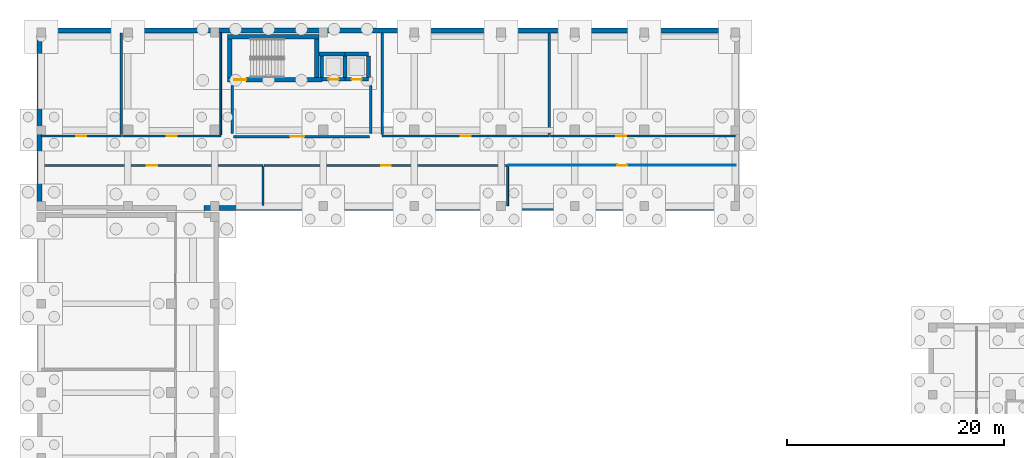
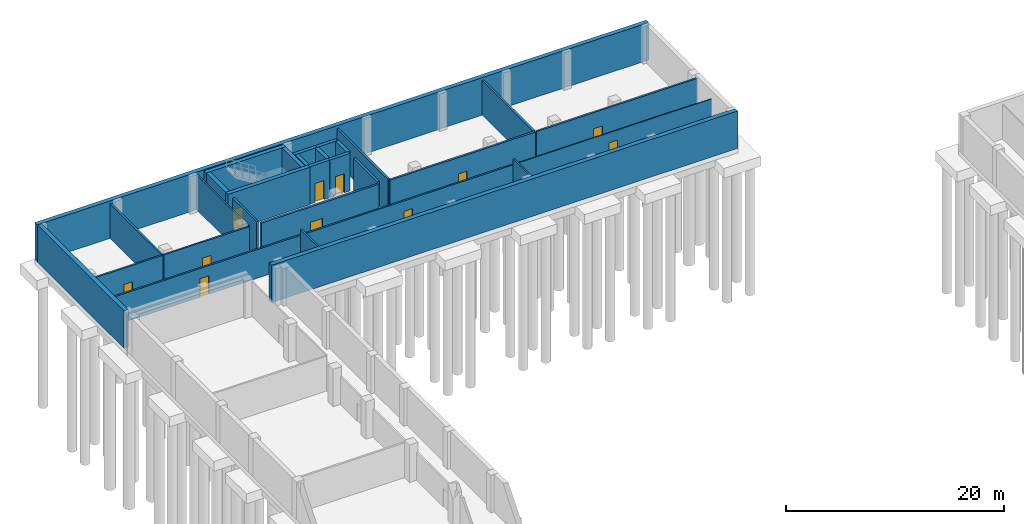
# One storey, part 21 of 31: 30 walls, 11 doors, 11 openings.
"""IFC4 building model written with IfcOpenShell, lengths in metres."""

from ifc_helpers import new_model, si_unit, direction, frame, frame_2d, origin, place, context, subcontext, project, spatial, rectangle, extrude, material, layer, layer_set, type_object, element, fill, save


model = new_model("IFC4")

# Units and contexts
model_context = context("Model", 3, precision=1e-05, world=origin(), true_north=direction((0.0, 1.0)))
body_context = subcontext(model_context, "Body", "Model", "MODEL_VIEW")
ifc_project = project(units=[si_unit("LENGTHUNIT", "METRE"), si_unit("AREAUNIT", "SQUARE_METRE"), si_unit("VOLUMEUNIT", "CUBIC_METRE"), si_unit("PLANEANGLEUNIT", "RADIAN"), si_unit("MASSUNIT", "GRAM", prefix="KILO")], contexts=[model_context])

# Site, building, storey
site_placement = place(None, origin())
site = spatial("IfcSite", under=ifc_project, at=site_placement, CompositionType="ELEMENT")
building_placement = place(site_placement, origin())
building = spatial("IfcBuilding", under=site, at=building_placement, Name="Qalavern Law Courts", CompositionType="ELEMENT")
storey_placement = place(building_placement, frame((0.0, 0.0, -8.39990234375)))
storey = spatial("IfcBuildingStorey", under=building, at=storey_placement, Name="B2", CompositionType="ELEMENT", Elevation=-8.39990234375)

# Walls
ifc_material_1 = material(Name="Concrete C35/45", Category="concrete")
ifc_layer_1 = layer(ifc_material_1, 0.4599609375)
ifc_layer_set_1 = layer_set([ifc_layer_1], Name="Concrete C35/45")
wall_type_1 = type_object("IfcWallType", Name="ENV-EW-RET460", PredefinedType="SOLIDWALL", material=ifc_layer_set_1)
wall_1_placement = place(storey_placement, frame((17.39990234375, 96.429931640625, 0.0), z_axis=(0.0, 0.0, 1.0), x_axis=(1.0, 0.0, 0.0)))
element("IfcWall", 1, at=wall_1_placement, inside=storey, type_object=wall_type_1, Name="V5 basement retaining wall B2 south", PredefinedType="SOLIDWALL", context=body_context, shape_type="SweptSolid", body=[
    extrude(rectangle(XDim=49.400146484375, YDim=0.4599609375, at=frame_2d((24.7001953125, 0.0))), origin(), (0.0, 0.0, 1.0), 4.199951171875),
])
wall_2_placement = place(storey_placement, frame((66.800048828125, 112.77001953125, 0.0), z_axis=(0.0, 0.0, 1.0), x_axis=(-1.0, 0.0, 0.0)))
element("IfcWall", 2, at=wall_2_placement, inside=storey, type_object=wall_type_1, Name="V5 basement retaining wall B2 north", PredefinedType="SOLIDWALL", context=body_context, shape_type="SweptSolid", body=[
    extrude(rectangle(XDim=64.800048828125, YDim=0.4599609375, at=frame_2d((32.39990234375, 0.0))), origin(), (0.0, 0.0, 1.0), 4.199951171875),
])
wall_3_placement = place(storey_placement, frame((2.22998046875, 112.544921875, 0.0), z_axis=(0.0, 0.0, 1.0), x_axis=(0.0, -1.0, 0.0)))
element("IfcWall", 3, at=wall_3_placement, inside=storey, type_object=wall_type_1, Name="V5 basement retaining wall B2 west", PredefinedType="SOLIDWALL", context=body_context, shape_type="SweptSolid", body=[
    extrude(rectangle(XDim=15.889892578125, YDim=0.4599609375, at=frame_2d((7.94482421875, 0.0))), origin(), (0.0, 0.0, 1.0), 4.199951171875),
])

# Wall, opening, door
ifc_material_2 = material(Name="Concrete C45/55", Category="concrete")
ifc_layer_2 = layer(ifc_material_2, 0.4150390625)
ifc_layer_set_2 = layer_set([ifc_layer_2], Name="Concrete C45/55")
wall_type_2 = type_object("IfcWallType", Name="INT-CW-415", PredefinedType="SHEAR", material=ifc_layer_set_2)
wall_4_placement = place(storey_placement, frame((19.5849609375, 108.242431640625, 0.0), z_axis=(0.0, 0.0, 1.0), x_axis=(1.0, 0.0, 0.0)))
wall_4 = element("IfcWall", 4, at=wall_4_placement, inside=storey, type_object=wall_type_2, Name="Core K3 stair shear wall B2 south", PredefinedType="SHEAR", context=body_context, shape_type="SweptSolid", body=[
    extrude(rectangle(XDim=8.689453125, YDim=0.4150390625, at=frame_2d((4.3447265625, 0.0))), origin(), (0.0, 0.0, 1.0), 4.199951171875),
])
opening_1_placement = place(wall_4_placement, frame((0.614990234375, 0.0, 0.0)))
opening_1 = element("IfcOpeningElement", 5, at=opening_1_placement, cuts=wall_4, Name="Opening B2-D069", PredefinedType="OPENING", context=body_context, shape_type="SweptSolid", body=[
    extrude(rectangle(XDim=1.10009765625, YDim=2.14990234375, at=frame_2d((0.550048828125, 1.074951171875))), frame((0.0, 0.222412109375, 0.0), z_axis=(0.0, -1.0, 0.0), x_axis=(1.0, 0.0, 0.0)), (0.0, 0.0, 1.0), 0.44482421875),
])
ifc_material_3 = material(Name="Steel fire-rated stair enclosure door", Category="steel")
door_type_1 = type_object("IfcDoorType", Name="INT-FD-1100x2150", OperationType="NOTDEFINED", PredefinedType="DOOR", material=ifc_material_3)
door_1_placement = place(opening_1_placement, frame((1.10009765625, 0.0, 0.0), z_axis=(0.0, 0.0, 1.0), x_axis=(-1.0, 0.0, 0.0)))
door_1 = element("IfcDoor", 6, at=door_1_placement, inside=storey, type_object=door_type_1, Name="Stair K3 fire door B2", OperationType="SINGLE_SWING_LEFT", OverallHeight=2.14990234375, OverallWidth=1.10009765625, PredefinedType="DOOR", context=body_context, shape_type="SweptSolid", body=[
    extrude(rectangle(XDim=1.10009765625, YDim=2.14990234375, at=frame_2d((0.550048828125, 1.074951171875))), frame((0.0, 0.02490234375, 0.0), z_axis=(0.0, -1.0, 0.0), x_axis=(1.0, 0.0, 0.0)), (0.0, 0.0, 1.0), 0.050048828125),
])
fill(opening_1, door_1)

# Walls
wall_5_placement = place(storey_placement, frame((27.8076171875, 108.449951171875, 0.0), z_axis=(0.0, 0.0, 1.0), x_axis=(0.0, 1.0, 0.0)))
element("IfcWall", 7, at=wall_5_placement, inside=storey, type_object=wall_type_2, Name="Core K3 stair shear wall B2 east", PredefinedType="SHEAR", context=body_context, shape_type="SweptSolid", body=[
    extrude(rectangle(XDim=3.550048828125, YDim=0.4150390625, at=frame_2d((1.77490234375, 0.0))), origin(), (0.0, 0.0, 1.0), 4.199951171875),
])
wall_6_placement = place(storey_placement, frame((28.014892578125, 112.20751953125, 0.0), z_axis=(0.0, 0.0, 1.0), x_axis=(-1.0, 0.0, 0.0)))
element("IfcWall", 8, at=wall_6_placement, inside=storey, type_object=wall_type_2, Name="Core K3 stair shear wall B2 north", PredefinedType="SHEAR", context=body_context, shape_type="SweptSolid", body=[
    extrude(rectangle(XDim=8.429931640625, YDim=0.4150390625, at=frame_2d((4.21484375, 0.0))), origin(), (0.0, 0.0, 1.0), 4.199951171875),
])
wall_7_placement = place(storey_placement, frame((19.79248046875, 112.0, 0.0), z_axis=(0.0, 0.0, 1.0), x_axis=(0.0, -1.0, 0.0)))
element("IfcWall", 9, at=wall_7_placement, inside=storey, type_object=wall_type_2, Name="Core K3 stair shear wall B2 west", PredefinedType="SHEAR", context=body_context, shape_type="SweptSolid", body=[
    extrude(rectangle(XDim=3.550048828125, YDim=0.4150390625, at=frame_2d((1.77490234375, 0.0))), origin(), (0.0, 0.0, 1.0), 4.199951171875),
])

# Wall, opening, door
ifc_material_4 = material(Name="Concrete C40/50", Category="concrete")
ifc_layer_3 = layer(ifc_material_4, 0.22509765625)
ifc_layer_set_3 = layer_set([ifc_layer_3], Name="Concrete C40/50")
wall_type_3 = type_object("IfcWallType", Name="INT-FW-225", PredefinedType="PARTITIONING", material=ifc_layer_set_3)
wall_8_placement = place(storey_placement, frame((20.14990234375, 103.0, 0.0), z_axis=(0.0, 0.0, 1.0), x_axis=(1.0, 0.0, 0.0)))
wall_8 = element("IfcWall", 10, at=wall_8_placement, inside=storey, type_object=wall_type_3, Name="Core K3 firefighting/stair lobby fire wall B2", PredefinedType="PARTITIONING", context=body_context, shape_type="SweptSolid", body=[
    extrude(rectangle(XDim=12.5, YDim=0.22509765625, at=frame_2d((6.25, 0.0))), origin(), (0.0, 0.0, 1.0), 3.8798828125),
])
opening_2_placement = place(wall_8_placement, frame((5.199951171875, 0.0, 0.0)))
opening_2 = element("IfcOpeningElement", 11, at=opening_2_placement, cuts=wall_8, Name="Opening B2-D070", PredefinedType="OPENING", context=body_context, shape_type="SweptSolid", body=[
    extrude(rectangle(XDim=1.300048828125, YDim=2.14990234375, at=frame_2d((0.64990234375, 1.074951171875))), frame((0.0, 0.12744140625, 0.0), z_axis=(0.0, -1.0, 0.0), x_axis=(1.0, 0.0, 0.0)), (0.0, 0.0, 1.0), 0.2548828125),
])
ifc_material_5 = material(Name="Steel fire-rated frame and acoustic timber leaves", Category="steel")
door_type_2 = type_object("IfcDoorType", Name="INT-FD-1300x2150", OperationType="DOUBLE_DOOR_SINGLE_SWING", PredefinedType="DOOR", material=ifc_material_5)
door_2_placement = place(opening_2_placement, origin())
door_2 = element("IfcDoor", 12, at=door_2_placement, inside=storey, type_object=door_type_2, Name="Core K3 lobby fire door B2", OperationType="DOUBLE_DOOR_SINGLE_SWING", OverallHeight=2.14990234375, OverallWidth=1.300048828125, PredefinedType="DOOR", context=body_context, shape_type="SweptSolid", body=[
    extrude(rectangle(XDim=1.300048828125, YDim=2.14990234375, at=frame_2d((0.64990234375, 1.074951171875))), frame((0.0, 0.02490234375, 0.0), z_axis=(0.0, -1.0, 0.0), x_axis=(1.0, 0.0, 0.0)), (0.0, 0.0, 1.0), 0.050048828125),
])
fill(opening_2, door_2)

# Walls
for number, where, z_axis, x_axis, name in (
    (13, (20.0, 103.300048828125, 0.0), (0.0, 0.0, 1.0), (0.0, 1.0, 0.0), "Core K3 lobby return wall B2 west"),
    (14, (32.800048828125, 103.300048828125, 0.0), (0.0, 0.0, 1.0), (0.0, 1.0, 0.0), "Core K3 lobby return wall B2 east"),
):
    element("IfcWall", number, at=place(storey_placement, frame(where, z_axis=z_axis, x_axis=x_axis)), inside=storey, type_object=wall_type_3, Name=name, PredefinedType="PARTITIONING", context=body_context, shape_type="SweptSolid", body=[
        extrude(rectangle(XDim=4.39990234375, YDim=0.22509765625, at=frame_2d((2.199951171875, 0.0))), origin(), (0.0, 0.0, 1.0), 3.8798828125),
    ])

# Wall, opening, door
ifc_material_6 = material(Name="Gypsum shaft/chase partition")
ifc_layer_4 = layer(ifc_material_6, 0.092041015625)
ifc_layer_set_4 = layer_set([ifc_layer_4], Name="Gypsum shaft/chase partition")
wall_type_4 = type_object("IfcWallType", Name="INT-PW-092", PredefinedType="PARTITIONING", material=ifc_layer_set_4)
wall_9_placement = place(storey_placement, frame((45.52587890625, 100.340087890625, 0.0), z_axis=(0.0, 0.0, 1.0), x_axis=(1.0, 0.0, 0.0)))
wall_9 = element("IfcWall", 15, at=wall_9_placement, inside=storey, type_object=wall_type_4, Name="Historical Legal Archive Stacks corridor partition B2", PredefinedType="PARTITIONING", context=body_context, shape_type="SweptSolid", body=[
    extrude(rectangle(XDim=20.89404296875, YDim=0.092041015625, at=frame_2d((10.447021484375, 0.0))), origin(), (0.0, 0.0, 1.0), 3.2099609375),
])
opening_3_placement = place(wall_9_placement, frame((9.98193359375, 0.0, 0.0)))
opening_3 = element("IfcOpeningElement", 16, at=opening_3_placement, cuts=wall_9, Name="Opening B2-D336", PredefinedType="OPENING", context=body_context, shape_type="SweptSolid", body=[
    extrude(rectangle(XDim=0.929931640625, YDim=2.080078125, at=frame_2d((0.46484375, 1.0400390625))), frame((0.0, 0.06103515625, 0.0), z_axis=(0.0, -1.0, 0.0), x_axis=(1.0, 0.0, 0.0)), (0.0, 0.0, 1.0), 0.121826171875),
])
ifc_material_7 = material(Name="Steel Legal Archive Vault door", Category="steel")
door_type_3 = type_object("IfcDoorType", Name="INT-ID-930x2080", OperationType="NOTDEFINED", PredefinedType="DOOR", material=ifc_material_7)
door_3_placement = place(opening_3_placement, frame((0.929931640625, 0.0, 0.0), z_axis=(0.0, 0.0, 1.0), x_axis=(-1.0, 0.0, 0.0)))
door_3 = element("IfcDoor", 17, at=door_3_placement, inside=storey, type_object=door_type_3, Name="Historical Legal Archive Stacks door B2", OperationType="SINGLE_SWING_LEFT", OverallHeight=2.080078125, OverallWidth=0.929931640625, PredefinedType="DOOR", context=body_context, shape_type="SweptSolid", body=[
    extrude(rectangle(XDim=0.929931640625, YDim=2.080078125, at=frame_2d((0.46484375, 1.0400390625))), frame((0.0, 0.02490234375, 0.0), z_axis=(0.0, -1.0, 0.0), x_axis=(1.0, 0.0, 0.0)), (0.0, 0.0, 1.0), 0.050048828125),
])
fill(opening_3, door_3)

ifc_material_8 = material(Name="Gypsum acoustic stud partition")
ifc_layer_5 = layer(ifc_material_8, 0.174072265625)
ifc_layer_set_5 = layer_set([ifc_layer_5], Name="Gypsum acoustic stud partition")
wall_type_5 = type_object("IfcWallType", Name="INT-PW-174", PredefinedType="PARTITIONING", material=ifc_layer_set_5)
wall_10_placement = place(storey_placement, frame((22.98193359375, 100.340087890625, 0.0), z_axis=(0.0, 0.0, 1.0), x_axis=(1.0, 0.0, 0.0)))
wall_10 = element("IfcWall", 18, at=wall_10_placement, inside=storey, type_object=wall_type_5, Name="Sprinkler Pump and Cistern Plant corridor partition B2", PredefinedType="PARTITIONING", context=body_context, shape_type="SweptSolid", body=[
    extrude(rectangle(XDim=22.424072265625, YDim=0.174072265625, at=frame_2d((11.2119140625, 0.0))), origin(), (0.0, 0.0, 1.0), 3.2099609375),
])
opening_4_placement = place(wall_10_placement, frame((10.757080078125, 0.0, 0.0)))
opening_4 = element("IfcOpeningElement", 19, at=opening_4_placement, cuts=wall_10, Name="Opening B2-D335", PredefinedType="OPENING", context=body_context, shape_type="SweptSolid", body=[
    extrude(rectangle(XDim=0.909912109375, YDim=2.0400390625, at=frame_2d((0.455078125, 1.02001953125))), frame((0.0, 0.10205078125, 0.0), z_axis=(0.0, -1.0, 0.0), x_axis=(1.0, 0.0, 0.0)), (0.0, 0.0, 1.0), 0.203857421875),
])
ifc_material_9 = material(Name="Steel MEP Plant Room door", Category="steel")
door_type_4 = type_object("IfcDoorType", Name="INT-ID-910x2040", OperationType="NOTDEFINED", PredefinedType="DOOR", material=ifc_material_9)
door_4_placement = place(opening_4_placement, frame((0.909912109375, 0.0, 0.0), z_axis=(0.0, 0.0, 1.0), x_axis=(-1.0, 0.0, 0.0)))
door_4 = element("IfcDoor", 20, at=door_4_placement, inside=storey, type_object=door_type_4, Name="Sprinkler Pump and Cistern Plant door B2", OperationType="SINGLE_SWING_RIGHT", OverallHeight=2.0400390625, OverallWidth=0.909912109375, PredefinedType="DOOR", context=body_context, shape_type="SweptSolid", body=[
    extrude(rectangle(XDim=0.909912109375, YDim=2.0400390625, at=frame_2d((0.455078125, 1.02001953125))), frame((0.0, 0.02490234375, 0.0), z_axis=(0.0, -1.0, 0.0), x_axis=(1.0, 0.0, 0.0)), (0.0, 0.0, 1.0), 0.050048828125),
])
fill(opening_4, door_4)

# Wall
wall_11_placement = place(storey_placement, frame((45.406005859375, 96.639892578125, 0.0), z_axis=(0.0, 0.0, 1.0), x_axis=(0.0, 1.0, 0.0)))
element("IfcWall", 21, at=wall_11_placement, inside=storey, type_object=wall_type_5, Name="Sprinkler Pump and Cistern Plant cross partition B2 east", PredefinedType="PARTITIONING", context=body_context, shape_type="SweptSolid", body=[
    extrude(rectangle(XDim=3.593017578125, YDim=0.174072265625, at=frame_2d((1.79638671875, 0.0))), origin(), (0.0, 0.0, 1.0), 3.8798828125),
])

# Wall, opening, door
wall_12_placement = place(storey_placement, frame((9.905029296875, 103.06005859375, 0.0), z_axis=(0.0, 0.0, 1.0), x_axis=(1.0, 0.0, 0.0)))
wall_12 = element("IfcWall", 22, at=wall_12_placement, inside=storey, type_object=wall_type_5, Name="Historical Legal Archive Stacks corridor partition B2", PredefinedType="PARTITIONING", context=body_context, shape_type="SweptSolid", body=[
    extrude(rectangle(XDim=9.054931640625, YDim=0.174072265625, at=frame_2d((4.52734375, 0.0))), origin(), (0.0, 0.0, 1.0), 3.8798828125),
])
opening_5_placement = place(wall_12_placement, frame((4.0625, 0.0, 0.0)))
opening_5 = element("IfcOpeningElement", 23, at=opening_5_placement, cuts=wall_12, Name="Opening B2-D340", PredefinedType="OPENING", context=body_context, shape_type="SweptSolid", body=[
    extrude(rectangle(XDim=0.929931640625, YDim=2.080078125, at=frame_2d((0.46484375, 1.0400390625))), frame((0.0, 0.10205078125, 0.0), z_axis=(0.0, -1.0, 0.0), x_axis=(1.0, 0.0, 0.0)), (0.0, 0.0, 1.0), 0.203857421875),
])
door_5_placement = place(opening_5_placement, origin())
door_5 = element("IfcDoor", 24, at=door_5_placement, inside=storey, type_object=door_type_3, Name="Historical Legal Archive Stacks door B2", OperationType="SINGLE_SWING_LEFT", OverallHeight=2.080078125, OverallWidth=0.929931640625, PredefinedType="DOOR", context=body_context, shape_type="SweptSolid", body=[
    extrude(rectangle(XDim=0.929931640625, YDim=2.080078125, at=frame_2d((0.46484375, 1.0400390625))), frame((0.0, 0.02490234375, 0.0), z_axis=(0.0, -1.0, 0.0), x_axis=(1.0, 0.0, 0.0)), (0.0, 0.0, 1.0), 0.050048828125),
])
fill(opening_5, door_5)

# Wall
wall_13_placement = place(storey_placement, frame((18.9599609375, 103.1669921875, 0.0), z_axis=(0.0, 0.0, 1.0), x_axis=(0.0, 1.0, 0.0)))
element("IfcWall", 25, at=wall_13_placement, inside=storey, type_object=wall_type_5, Name="Historical Legal Archive Stacks cross partition B2 east", PredefinedType="PARTITIONING", context=body_context, shape_type="SweptSolid", body=[
    extrude(rectangle(XDim=9.39306640625, YDim=0.174072265625, at=frame_2d((4.696533203125, 0.0))), origin(), (0.0, 0.0, 1.0), 3.8798828125),
])

# Wall, opening, door
ifc_layer_6 = layer(ifc_material_8, 0.18603515625)
ifc_layer_set_6 = layer_set([ifc_layer_6], Name="Gypsum acoustic stud partition")
wall_type_6 = type_object("IfcWallType", Name="INT-PW-186", PredefinedType="PARTITIONING", material=ifc_layer_set_6)
wall_14_placement = place(storey_placement, frame((2.3798828125, 100.340087890625, 0.0), z_axis=(0.0, 0.0, 1.0), x_axis=(1.0, 0.0, 0.0)))
wall_14 = element("IfcWall", 26, at=wall_14_placement, inside=storey, type_object=wall_type_6, Name="Historical Legal Archive Stacks corridor partition B2", PredefinedType="PARTITIONING", context=body_context, shape_type="SweptSolid", body=[
    extrude(rectangle(XDim=20.482177734375, YDim=0.18603515625, at=frame_2d((10.2412109375, 0.0))), origin(), (0.0, 0.0, 1.0), 3.2099609375),
])
opening_6_placement = place(wall_14_placement, frame((9.77587890625, 0.0, 0.0)))
opening_6 = element("IfcOpeningElement", 27, at=opening_6_placement, cuts=wall_14, Name="Opening B2-D334", PredefinedType="OPENING", context=body_context, shape_type="SweptSolid", body=[
    extrude(rectangle(XDim=0.929931640625, YDim=2.080078125, at=frame_2d((0.46484375, 1.0400390625))), frame((0.0, 0.10791015625, 0.0), z_axis=(0.0, -1.0, 0.0), x_axis=(1.0, 0.0, 0.0)), (0.0, 0.0, 1.0), 0.2158203125),
])
door_6_placement = place(opening_6_placement, frame((0.929931640625, 0.0, 0.0), z_axis=(0.0, 0.0, 1.0), x_axis=(-1.0, 0.0, 0.0)))
door_6 = element("IfcDoor", 28, at=door_6_placement, inside=storey, type_object=door_type_3, Name="Historical Legal Archive Stacks door B2", OperationType="SINGLE_SWING_LEFT", OverallHeight=2.080078125, OverallWidth=0.929931640625, PredefinedType="DOOR", context=body_context, shape_type="SweptSolid", body=[
    extrude(rectangle(XDim=0.929931640625, YDim=2.080078125, at=frame_2d((0.46484375, 1.0400390625))), frame((0.0, 0.02490234375, 0.0), z_axis=(0.0, -1.0, 0.0), x_axis=(1.0, 0.0, 0.0)), (0.0, 0.0, 1.0), 0.050048828125),
])
fill(opening_6, door_6)

# Wall
wall_15_placement = place(storey_placement, frame((22.862060546875, 96.639892578125, 0.0), z_axis=(0.0, 0.0, 1.0), x_axis=(0.0, 1.0, 0.0)))
element("IfcWall", 29, at=wall_15_placement, inside=storey, type_object=wall_type_6, Name="Historical Legal Archive Stacks cross partition B2 east", PredefinedType="PARTITIONING", context=body_context, shape_type="SweptSolid", body=[
    extrude(rectangle(XDim=3.587158203125, YDim=0.18603515625, at=frame_2d((1.79345703125, 0.0))), origin(), (0.0, 0.0, 1.0), 3.8798828125),
])

# Wall, opening, door
wall_16_placement = place(storey_placement, frame((2.3798828125, 103.06005859375, 0.0), z_axis=(0.0, 0.0, 1.0), x_axis=(1.0, 0.0, 0.0)))
wall_16 = element("IfcWall", 30, at=wall_16_placement, inside=storey, type_object=wall_type_6, Name="Sprinkler Pump and Cistern Plant corridor partition B2", PredefinedType="PARTITIONING", context=body_context, shape_type="SweptSolid", body=[
    extrude(rectangle(XDim=7.405029296875, YDim=0.18603515625, at=frame_2d((3.70263671875, 0.0))), origin(), (0.0, 0.0, 1.0), 3.8798828125),
])
opening_7_placement = place(wall_16_placement, frame((3.24755859375, 0.0, 0.0)))
opening_7 = element("IfcOpeningElement", 31, at=opening_7_placement, cuts=wall_16, Name="Opening B2-D339", PredefinedType="OPENING", context=body_context, shape_type="SweptSolid", body=[
    extrude(rectangle(XDim=0.909912109375, YDim=2.0400390625, at=frame_2d((0.455078125, 1.02001953125))), frame((0.0, 0.10791015625, 0.0), z_axis=(0.0, -1.0, 0.0), x_axis=(1.0, 0.0, 0.0)), (0.0, 0.0, 1.0), 0.2158203125),
])
door_7_placement = place(opening_7_placement, origin())
door_7 = element("IfcDoor", 32, at=door_7_placement, inside=storey, type_object=door_type_4, Name="Sprinkler Pump and Cistern Plant door B2", OperationType="SINGLE_SWING_RIGHT", OverallHeight=2.0400390625, OverallWidth=0.909912109375, PredefinedType="DOOR", context=body_context, shape_type="SweptSolid", body=[
    extrude(rectangle(XDim=0.909912109375, YDim=2.0400390625, at=frame_2d((0.455078125, 1.02001953125))), frame((0.0, 0.02490234375, 0.0), z_axis=(0.0, -1.0, 0.0), x_axis=(1.0, 0.0, 0.0)), (0.0, 0.0, 1.0), 0.050048828125),
])
fill(opening_7, door_7)

# Wall
wall_17_placement = place(storey_placement, frame((9.784912109375, 103.173095703125, 0.0), z_axis=(0.0, 0.0, 1.0), x_axis=(0.0, 1.0, 0.0)))
element("IfcWall", 33, at=wall_17_placement, inside=storey, type_object=wall_type_6, Name="Sprinkler Pump and Cistern Plant cross partition B2 east", PredefinedType="PARTITIONING", context=body_context, shape_type="SweptSolid", body=[
    extrude(rectangle(XDim=9.386962890625, YDim=0.18603515625, at=frame_2d((4.693359375, 0.0))), origin(), (0.0, 0.0, 1.0), 3.8798828125),
])

# Wall, opening, door
ifc_material_10 = material(Name="Gypsum acoustic double-stud partition")
ifc_layer_7 = layer(ifc_material_10, 0.197998046875)
ifc_layer_set_7 = layer_set([ifc_layer_7], Name="Gypsum acoustic double-stud partition")
wall_type_7 = type_object("IfcWallType", Name="INT-PW-198", PredefinedType="PARTITIONING", material=ifc_layer_set_7)
wall_18_placement = place(storey_placement, frame((49.364990234375, 103.06005859375, 0.0), z_axis=(0.0, 0.0, 1.0), x_axis=(1.0, 0.0, 0.0)))
wall_18 = element("IfcWall", 34, at=wall_18_placement, inside=storey, type_object=wall_type_7, Name="Historical Legal Archive Stacks corridor partition B2", PredefinedType="PARTITIONING", context=body_context, shape_type="SweptSolid", body=[
    extrude(rectangle(XDim=17.054931640625, YDim=0.197998046875, at=frame_2d((8.52734375, 0.0))), origin(), (0.0, 0.0, 1.0), 3.8798828125),
])
opening_8_placement = place(wall_18_placement, frame((6.0625, 0.0, 0.0)))
opening_8 = element("IfcOpeningElement", 35, at=opening_8_placement, cuts=wall_18, Name="Opening B2-D338", PredefinedType="OPENING", context=body_context, shape_type="SweptSolid", body=[
    extrude(rectangle(XDim=0.929931640625, YDim=2.080078125, at=frame_2d((0.46484375, 1.0400390625))), frame((0.0, 0.11376953125, 0.0), z_axis=(0.0, -1.0, 0.0), x_axis=(1.0, 0.0, 0.0)), (0.0, 0.0, 1.0), 0.227783203125),
])
door_8_placement = place(opening_8_placement, origin())
door_8 = element("IfcDoor", 36, at=door_8_placement, inside=storey, type_object=door_type_3, Name="Historical Legal Archive Stacks door B2", OperationType="SINGLE_SWING_LEFT", OverallHeight=2.080078125, OverallWidth=0.929931640625, PredefinedType="DOOR", context=body_context, shape_type="SweptSolid", body=[
    extrude(rectangle(XDim=0.929931640625, YDim=2.080078125, at=frame_2d((0.46484375, 1.0400390625))), frame((0.0, 0.02490234375, 0.0), z_axis=(0.0, -1.0, 0.0), x_axis=(1.0, 0.0, 0.0)), (0.0, 0.0, 1.0), 0.050048828125),
])
fill(opening_8, door_8)

ifc_layer_8 = layer(ifc_material_10, 0.2119140625)
ifc_layer_set_8 = layer_set([ifc_layer_8], Name="Gypsum acoustic double-stud partition")
wall_type_8 = type_object("IfcWallType", Name="INT-PW-212", PredefinedType="PARTITIONING", material=ifc_layer_set_8)
wall_19_placement = place(storey_placement, frame((33.840087890625, 103.06005859375, 0.0), z_axis=(0.0, 0.0, 1.0), x_axis=(1.0, 0.0, 0.0)))
wall_19 = element("IfcWall", 37, at=wall_19_placement, inside=storey, type_object=wall_type_8, Name="Sprinkler Pump and Cistern Plant corridor partition B2", PredefinedType="PARTITIONING", context=body_context, shape_type="SweptSolid", body=[
    extrude(rectangle(XDim=15.405029296875, YDim=0.2119140625, at=frame_2d((7.70263671875, 0.0))), origin(), (0.0, 0.0, 1.0), 3.8798828125),
])
opening_9_placement = place(wall_19_placement, frame((7.24755859375, 0.0, 0.0)))
opening_9 = element("IfcOpeningElement", 38, at=opening_9_placement, cuts=wall_19, Name="Opening B2-D337", PredefinedType="OPENING", context=body_context, shape_type="SweptSolid", body=[
    extrude(rectangle(XDim=0.909912109375, YDim=2.0400390625, at=frame_2d((0.455078125, 1.02001953125))), frame((0.0, 0.120849609375, 0.0), z_axis=(0.0, -1.0, 0.0), x_axis=(1.0, 0.0, 0.0)), (0.0, 0.0, 1.0), 0.24169921875),
])
door_9_placement = place(opening_9_placement, origin())
door_9 = element("IfcDoor", 39, at=door_9_placement, inside=storey, type_object=door_type_4, Name="Sprinkler Pump and Cistern Plant door B2", OperationType="SINGLE_SWING_RIGHT", OverallHeight=2.0400390625, OverallWidth=0.909912109375, PredefinedType="DOOR", context=body_context, shape_type="SweptSolid", body=[
    extrude(rectangle(XDim=0.909912109375, YDim=2.0400390625, at=frame_2d((0.455078125, 1.02001953125))), frame((0.0, 0.02490234375, 0.0), z_axis=(0.0, -1.0, 0.0), x_axis=(1.0, 0.0, 0.0)), (0.0, 0.0, 1.0), 0.050048828125),
])
fill(opening_9, door_9)

# Walls
for number, where, z_axis, x_axis, name in (
    (40, (33.840087890625, 103.18603515625, 0.0), (0.0, 0.0, 1.0), (0.0, 1.0, 0.0), "Sprinkler Pump and Cistern Plant cross partition B2 west"),
    (41, (49.2451171875, 103.18603515625, 0.0), (0.0, 0.0, 1.0), (0.0, 1.0, 0.0), "Sprinkler Pump and Cistern Plant cross partition B2 east"),
):
    element("IfcWall", number, at=place(storey_placement, frame(where, z_axis=z_axis, x_axis=x_axis)), inside=storey, type_object=wall_type_8, Name=name, PredefinedType="PARTITIONING", context=body_context, shape_type="SweptSolid", body=[
        extrude(rectangle(XDim=9.3740234375, YDim=0.2119140625, at=frame_2d((4.68701171875, 0.0))), origin(), (0.0, 0.0, 1.0), 3.8798828125),
    ])

# Wall, opening, door
ifc_layer_9 = layer(ifc_material_2, 0.344970703125)
ifc_layer_set_9 = layer_set([ifc_layer_9], Name="Concrete C45/55")
wall_type_9 = type_object("IfcWallType", Name="INT-SW-345", PredefinedType="SHEAR", material=ifc_layer_set_9)
wall_20_placement = place(storey_placement, frame((28.277587890625, 108.277587890625, 0.0), z_axis=(0.0, 0.0, 1.0), x_axis=(1.0, 0.0, 0.0)))
wall_20 = element("IfcWall", 42, at=wall_20_placement, inside=storey, type_object=wall_type_9, Name="Lift LF-J1 shaft wall B2 south", PredefinedType="SHEAR", context=body_context, shape_type="SweptSolid", body=[
    extrude(rectangle(XDim=2.14501953125, YDim=0.344970703125, at=frame_2d((1.072509765625, 0.0))), origin(), (0.0, 0.0, 1.0), 4.199951171875),
])
opening_10_placement = place(wall_20_placement, frame((0.592529296875, 0.0, 0.0)))
opening_10 = element("IfcOpeningElement", 43, at=opening_10_placement, cuts=wall_20, Name="Opening LD-LF-J1-B2", PredefinedType="OPENING", context=body_context, shape_type="SweptSolid", body=[
    extrude(rectangle(XDim=0.9599609375, YDim=2.1201171875, at=frame_2d((0.47998046875, 1.06005859375))), frame((0.0, 0.1875, 0.0), z_axis=(0.0, -1.0, 0.0), x_axis=(1.0, 0.0, 0.0)), (0.0, 0.0, 1.0), 0.374755859375),
])
ifc_material_11 = material(Name="Heavy-gauge steel judicial lift sliding landing door", Category="steel")
door_type_5 = type_object("IfcDoorType", Name="INT-LD-960x2120", OperationType="SLIDING_TO_LEFT", PredefinedType="DOOR", material=ifc_material_11)
door_10_placement = place(opening_10_placement, origin())
door_10 = element("IfcDoor", 44, at=door_10_placement, inside=storey, type_object=door_type_5, Name="Lift LF-J1 sliding landing door B2", OperationType="SLIDING_TO_LEFT", OverallHeight=2.1201171875, OverallWidth=0.9599609375, PredefinedType="DOOR", context=body_context, shape_type="SweptSolid", body=[
    extrude(rectangle(XDim=0.9599609375, YDim=2.1201171875, at=frame_2d((0.47998046875, 1.06005859375))), frame((0.0, 0.02490234375, 0.0), z_axis=(0.0, -1.0, 0.0), x_axis=(1.0, 0.0, 0.0)), (0.0, 0.0, 1.0), 0.050048828125),
])
fill(opening_10, door_10)

# Walls
wall_21_placement = place(storey_placement, frame((30.422607421875, 108.449951171875, 0.0), z_axis=(0.0, 0.0, 1.0), x_axis=(0.0, 1.0, 0.0)))
element("IfcWall", 45, at=wall_21_placement, inside=storey, type_object=wall_type_9, Name="Lift LF-J1 shaft wall B2 east", PredefinedType="SHEAR", context=body_context, shape_type="SweptSolid", body=[
    extrude(rectangle(XDim=2.0, YDim=0.344970703125, at=frame_2d((1.0, 0.0))), origin(), (0.0, 0.0, 1.0), 4.199951171875),
])
wall_22_placement = place(storey_placement, frame((30.422607421875, 110.62255859375, 0.0), z_axis=(0.0, 0.0, 1.0), x_axis=(-1.0, 0.0, 0.0)))
element("IfcWall", 46, at=wall_22_placement, inside=storey, type_object=wall_type_9, Name="Lift LF-J1 shaft wall B2 north", PredefinedType="SHEAR", context=body_context, shape_type="SweptSolid", body=[
    extrude(rectangle(XDim=2.404541015625, YDim=0.344970703125, at=frame_2d((1.2021484375, 0.0))), origin(), (0.0, 0.0, 1.0), 4.199951171875),
])
wall_23_placement = place(storey_placement, frame((28.277587890625, 110.449951171875, 0.0), z_axis=(0.0, 0.0, 1.0), x_axis=(0.0, -1.0, 0.0)))
element("IfcWall", 47, at=wall_23_placement, inside=storey, type_object=wall_type_9, Name="Lift LF-J1 shaft wall B2 west", PredefinedType="SHEAR", context=body_context, shape_type="SweptSolid", body=[
    extrude(rectangle(XDim=2.0, YDim=0.344970703125, at=frame_2d((1.0, 0.0))), origin(), (0.0, 0.0, 1.0), 4.199951171875),
])

# Wall, opening, door
wall_24_placement = place(storey_placement, frame((30.427490234375, 108.277587890625, 0.0), z_axis=(0.0, 0.0, 1.0), x_axis=(1.0, 0.0, 0.0)))
wall_24 = element("IfcWall", 48, at=wall_24_placement, inside=storey, type_object=wall_type_9, Name="Lift LF-J2 shaft wall B2 south", PredefinedType="SHEAR", context=body_context, shape_type="SweptSolid", body=[
    extrude(rectangle(XDim=2.14501953125, YDim=0.344970703125, at=frame_2d((1.072509765625, 0.0))), origin(), (0.0, 0.0, 1.0), 4.199951171875),
])
opening_11_placement = place(wall_24_placement, frame((0.592529296875, 0.0, 0.0)))
opening_11 = element("IfcOpeningElement", 49, at=opening_11_placement, cuts=wall_24, Name="Opening LD-LF-J2-B2", PredefinedType="OPENING", context=body_context, shape_type="SweptSolid", body=[
    extrude(rectangle(XDim=0.9599609375, YDim=2.1201171875, at=frame_2d((0.47998046875, 1.06005859375))), frame((0.0, 0.1875, 0.0), z_axis=(0.0, -1.0, 0.0), x_axis=(1.0, 0.0, 0.0)), (0.0, 0.0, 1.0), 0.374755859375),
])
door_11_placement = place(opening_11_placement, origin())
door_11 = element("IfcDoor", 50, at=door_11_placement, inside=storey, type_object=door_type_5, Name="Lift LF-J2 sliding landing door B2", OperationType="SLIDING_TO_LEFT", OverallHeight=2.1201171875, OverallWidth=0.9599609375, PredefinedType="DOOR", context=body_context, shape_type="SweptSolid", body=[
    extrude(rectangle(XDim=0.9599609375, YDim=2.1201171875, at=frame_2d((0.47998046875, 1.06005859375))), frame((0.0, 0.02490234375, 0.0), z_axis=(0.0, -1.0, 0.0), x_axis=(1.0, 0.0, 0.0)), (0.0, 0.0, 1.0), 0.050048828125),
])
fill(opening_11, door_11)

# Walls
wall_25_placement = place(storey_placement, frame((32.572509765625, 108.449951171875, 0.0), z_axis=(0.0, 0.0, 1.0), x_axis=(0.0, 1.0, 0.0)))
element("IfcWall", 51, at=wall_25_placement, inside=storey, type_object=wall_type_9, Name="Lift LF-J2 shaft wall B2 east", PredefinedType="SHEAR", context=body_context, shape_type="SweptSolid", body=[
    extrude(rectangle(XDim=2.0, YDim=0.344970703125, at=frame_2d((1.0, 0.0))), origin(), (0.0, 0.0, 1.0), 4.199951171875),
])
wall_26_placement = place(storey_placement, frame((32.572509765625, 110.62255859375, 0.0), z_axis=(0.0, 0.0, 1.0), x_axis=(-1.0, 0.0, 0.0)))
element("IfcWall", 52, at=wall_26_placement, inside=storey, type_object=wall_type_9, Name="Lift LF-J2 shaft wall B2 north", PredefinedType="SHEAR", context=body_context, shape_type="SweptSolid", body=[
    extrude(rectangle(XDim=2.14501953125, YDim=0.344970703125, at=frame_2d((1.072509765625, 0.0))), origin(), (0.0, 0.0, 1.0), 4.199951171875),
])

save(model, "model.ifc")
